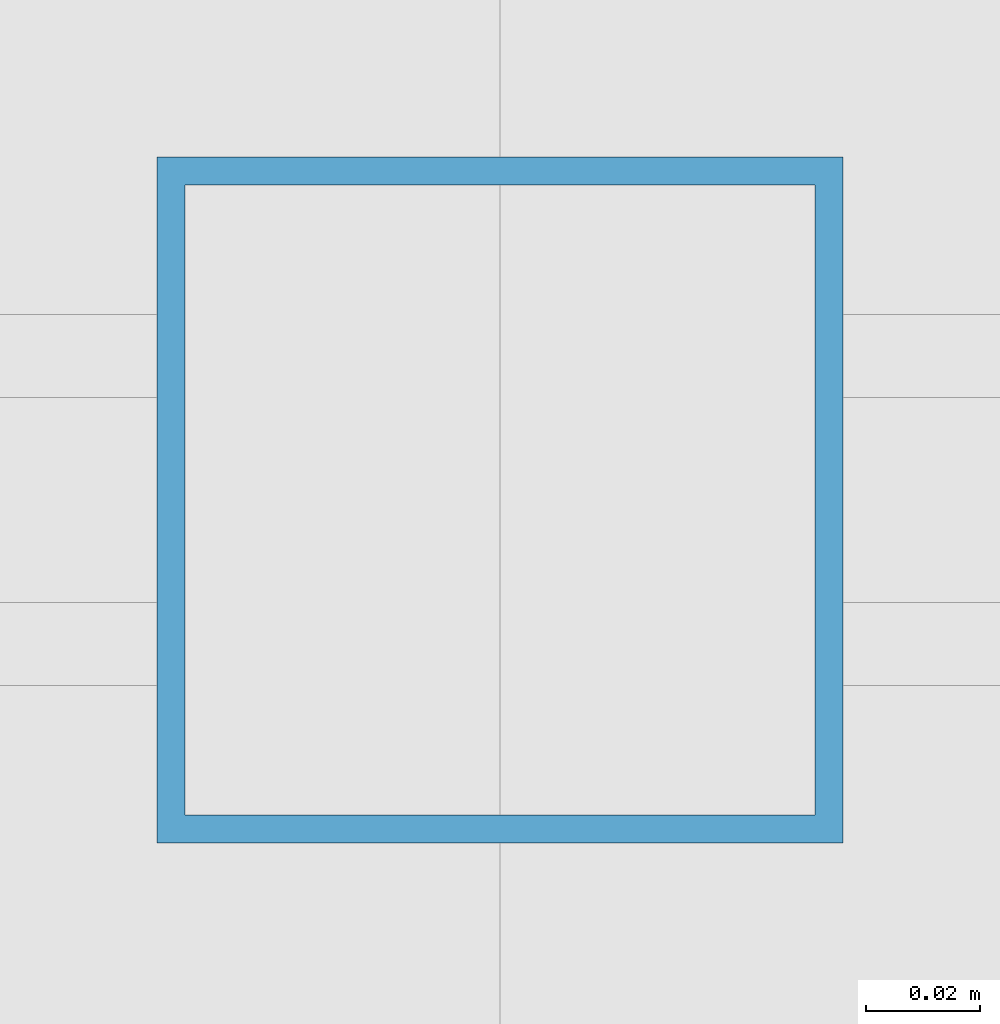
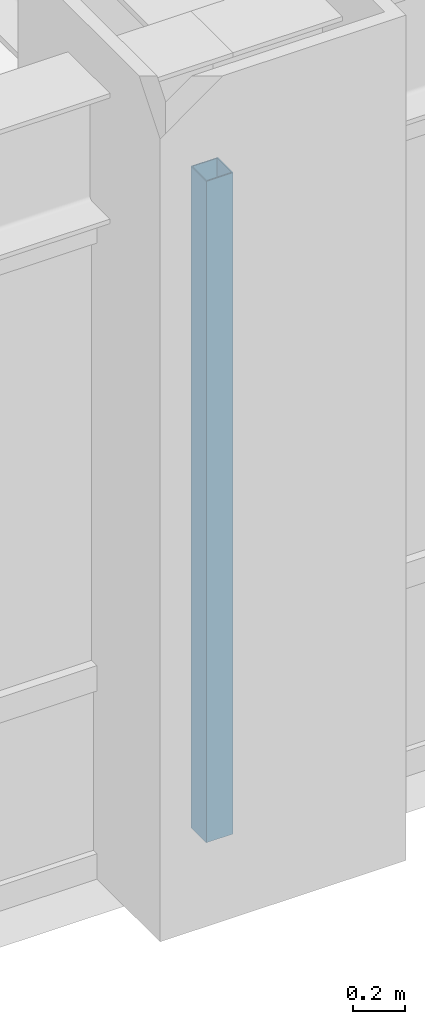
# One storey, part 4 of 24: 1 member, 1 element without a shape of its own.
"""IFC4 building model written with IfcOpenShell, lengths in metres."""

from ifc_helpers import new_model, si_unit, direction, frame, origin, origin_2d, place, context, subcontext, project, spatial, hollow_rectangle, extrude, source, transform, mapped, material, material_profile, profile_set, type_object, element, aggregate, save


model = new_model("IFC4")

# Units and contexts
model_context = context("Model", 3, precision=1e-05, world=origin(), true_north=direction((0.0, 1.0)))
body_context = subcontext(model_context, "Body", "Model", "MODEL_VIEW")
ifc_project = project(units=[si_unit("LENGTHUNIT", "METRE"), si_unit("AREAUNIT", "SQUARE_METRE"), si_unit("VOLUMEUNIT", "CUBIC_METRE"), si_unit("PLANEANGLEUNIT", "RADIAN"), si_unit("MASSUNIT", "GRAM", prefix="KILO")], contexts=[model_context])

# Site, building, storey
site_placement = place(None, origin())
site = spatial("IfcSite", under=ifc_project, at=site_placement, CompositionType="ELEMENT")
building_placement = place(site_placement, origin())
building = spatial("IfcBuilding", under=site, at=building_placement, Name="Khorayat Bourse Tower", CompositionType="ELEMENT")
storey_placement = place(building_placement, frame((0.0, 0.0, 171.10009765625)))
storey = spatial("IfcBuildingStorey", under=building, at=storey_placement, Name="L39", CompositionType="ELEMENT", Elevation=171.10009765625)

# Curtain wall, member
ifc_material = material(Name="Aluminium EN AW-6063 T6", Category="aluminium")
curtain_wall_type = type_object("IfcCurtainWallType", Name="CW-SYS-03", PredefinedType="NOTDEFINED", material=ifc_material)
curtain_wall_placement = place(storey_placement, origin())
curtain_wall = element("IfcCurtainWall", 1, at=curtain_wall_placement, inside=storey, type_object=curtain_wall_type, Name="L39 Curtain Wall CW-L39-S1", PredefinedType="NOTDEFINED")
ifc_material_profile = material_profile(ifc_material, hollow_rectangle(XDim=0.1201171875, YDim=0.1201171875, WallThickness=0.0048828125, at=origin_2d()), Name="ALU 120x120x5")
ifc_profile_set = profile_set([ifc_material_profile], Name="Aluminium EN AW-6063 T6")
member_type = type_object("IfcMemberType", Name="CWM-VERT-120", PredefinedType="MULLION", material=ifc_profile_set)
shared_shape = source(origin(), body_context, "Body", "SweptSolid", [
    extrude(hollow_rectangle(XDim=0.1201171875, YDim=0.1201171875, WallThickness=0.0048828125, at=origin_2d()), origin(), (0.0, 0.0, 1.0), 3.1298828125),
])
member_placement = place(storey_placement, frame((0.0, -30.0, 0.0), z_axis=(0.0, 0.0, 1.0), x_axis=(0.0, 1.0, 0.0)))
member = element("IfcMember", 2, at=member_placement, type_object=member_type, Name="CW-L39-S1 Vertical Mullion 2", PredefinedType="MULLION", context=body_context, shape_type="MappedRepresentation", body=[
    mapped(shared_shape, transform((0.0, 0.0, 0.0), scale=1.0)),
])
aggregate(curtain_wall, [member])

save(model, "model.ifc")
